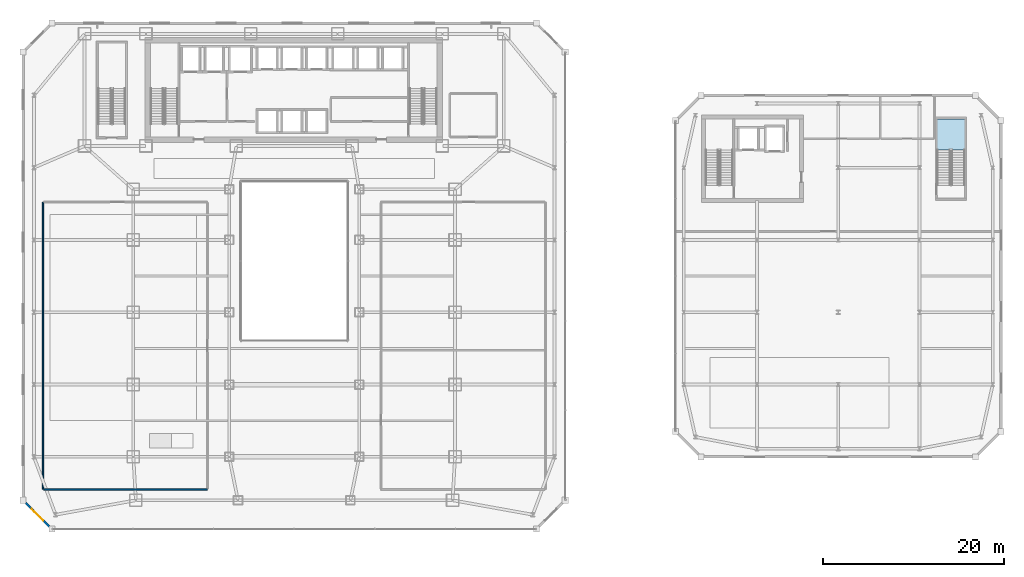
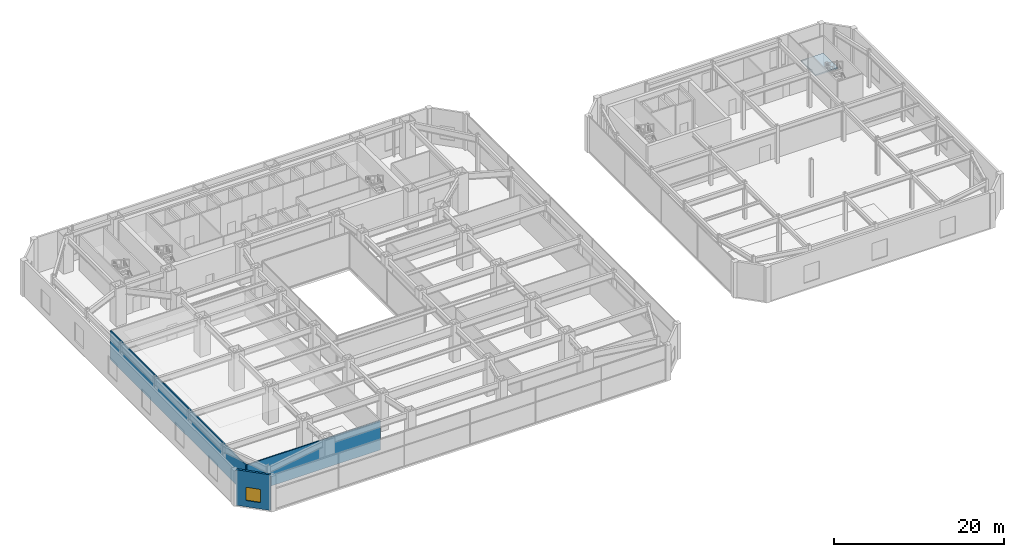
# One storey, part 38 of 51: 3 walls, 1 slab, 1 window, 1 opening, 1 element without a shape of its own.
"""IFC4 building model written with IfcOpenShell, lengths in metres."""

import ifcopenshell
import ifcopenshell.guid

model = None  # the IFC model being written
_history = None  # IfcOwnerHistory: only IFC2X3 demands one
_inside = {}  # id of a spatial element -> (the spatial element, [elements in it])
_under = {}  # id of a project, library or spatial element -> (it, [spatial elements below it])
_declared = {}  # id of a project -> (the project, [libraries it declares])
_typed = {}  # id of a type object -> (the type object, [elements of that type])
_made_of = {}  # id of a material, layer set ... -> (it, [elements and type objects made of it])


def new_model(schema):
    """Start an empty IFC model of exactly this schema.

    Asked for "IFC4X3", IfcOpenShell would pick the latest addendum, in which some entities
    have other attributes; the version numbers below select the first issue.
    IFC2X3 requires an IfcOwnerHistory on every rooted entity: one is made here for all.
    """
    global model, _history
    if schema == "IFC4X3":
        model = ifcopenshell.file(schema_version=(4, 3, 0, 0))
    else:
        model = ifcopenshell.file(schema=schema)
    _inside.clear()
    _under.clear()
    _declared.clear()
    _typed.clear()
    _made_of.clear()
    _history = None
    if model.schema == "IFC2X3":
        org = make("IfcOrganization", Name="unknown")
        user = make(
            "IfcPersonAndOrganization",
            ThePerson=make("IfcPerson", FamilyName="unknown"),
            TheOrganization=org,
        )
        app = make(
            "IfcApplication",
            ApplicationDeveloper=org,
            Version="unknown",
            ApplicationFullName="unknown",
            ApplicationIdentifier="unknown",
        )
        _history = make(
            "IfcOwnerHistory",
            OwningUser=user,
            OwningApplication=app,
            ChangeAction="ADDED",
            CreationDate=0,
        )
    return model


def make(cls, **values):
    """One entity of the class cls with the attributes given. An attribute that is None is left unset."""
    return model.create_entity(
        cls, **{name: value for name, value in values.items() if value is not None}
    )


def rooted(cls, **values):
    """An entity with a GlobalId (a new one), such as an element, a storey or a relation."""
    return make(cls, GlobalId=ifcopenshell.guid.new(), OwnerHistory=_history, **values)


def si_unit(unit_type, name, prefix=None):
    """IfcSIUnit, for example si_unit("LENGTHUNIT", "METRE", prefix="MILLI")."""
    return make("IfcSIUnit", UnitType=unit_type, Prefix=prefix, Name=name)


def assignment(units):
    """IfcUnitAssignment: the units of a project."""
    return None if units is None else make("IfcUnitAssignment", Units=units)


def point(xyz):
    """IfcCartesianPoint."""
    return None if xyz is None else make("IfcCartesianPoint", Coordinates=xyz)


def direction(xyz):
    """IfcDirection."""
    return None if xyz is None else make("IfcDirection", DirectionRatios=xyz)


def frame(location, z_axis=None, x_axis=None):
    """IfcAxis2Placement3D, a coordinate frame: its origin and axes. An axis left out is left unset."""
    return make(
        "IfcAxis2Placement3D",
        Location=point(location),
        Axis=direction(z_axis),
        RefDirection=direction(x_axis),
    )


def frame_2d(location, x_axis=None):
    """IfcAxis2Placement2D, a coordinate frame in the plane: its origin and x axis."""
    return make(
        "IfcAxis2Placement2D", Location=point(location), RefDirection=direction(x_axis)
    )


def origin():
    """The frame at (0, 0, 0) with its axes left unset."""
    return frame((0.0, 0.0, 0.0))


def place(relative_to, where):
    """IfcLocalPlacement: puts the frame where relative to a parent placement (None: the world)."""
    return make(
        "IfcLocalPlacement", PlacementRelTo=relative_to, RelativePlacement=where
    )


def context(
    kind, dimensions, precision=None, world=None, true_north=None, identifier=None
):
    """IfcGeometricRepresentationContext, for example the 3D "Model" context."""
    return make(
        "IfcGeometricRepresentationContext",
        ContextIdentifier=identifier,
        ContextType=kind,
        CoordinateSpaceDimension=dimensions,
        Precision=precision,
        WorldCoordinateSystem=world,
        TrueNorth=true_north,
    )


def subcontext(parent, identifier, kind, view, scale=None):
    """IfcGeometricRepresentationSubContext, for example "Body" below "Model"."""
    return make(
        "IfcGeometricRepresentationSubContext",
        ContextIdentifier=identifier,
        ContextType=kind,
        ParentContext=parent,
        TargetScale=scale,
        TargetView=view,
    )


def project(units=None, contexts=None):
    """IfcProject with its units and contexts."""
    return rooted(
        "IfcProject",
        Name="project",
        RepresentationContexts=contexts,
        UnitsInContext=assignment(units),
    )


def spatial(cls, under=None, at=None, **own):
    """A site, building, storey or space (cls), placed at a placement, below another one or the project."""
    s = rooted(cls, ObjectPlacement=at, **own)
    if under is not None:
        _under.setdefault(under.id(), (under, []))[1].append(s)
    return s


def polyline(points):
    """IfcPolyline through the points."""
    return make("IfcPolyline", Points=[point(p) for p in points])


def profile(cls, at=None, kind="AREA", **sizes):
    """A parametric profile (cls). Its sizes go by their IFC names, for example OverallWidth=200.0."""
    return make(cls, ProfileType=kind, Position=at, **sizes)


def rectangle(**sizes):
    """IfcRectangleProfileDef."""
    return profile("IfcRectangleProfileDef", **sizes)


def outline(outer, holes=None, kind="AREA"):
    """IfcArbitraryClosedProfileDef: a profile drawn as a closed curve; with holes, ...WithVoids."""
    if holes is None:
        return make("IfcArbitraryClosedProfileDef", ProfileType=kind, OuterCurve=outer)
    return make(
        "IfcArbitraryProfileDefWithVoids",
        ProfileType=kind,
        OuterCurve=outer,
        InnerCurves=holes,
    )


def extrude(swept, where, along, depth):
    """IfcExtrudedAreaSolid: the profile swept, set in the frame where, extruded along a direction by depth."""
    return make(
        "IfcExtrudedAreaSolid",
        SweptArea=swept,
        Position=where,
        ExtrudedDirection=direction(along),
        Depth=depth,
    )


def shape(context_of_items, identifier, shape_type, items):
    """IfcShapeRepresentation: the items that make up one representation, for example the "Body"."""
    return make(
        "IfcShapeRepresentation",
        ContextOfItems=context_of_items,
        RepresentationIdentifier=identifier,
        RepresentationType=shape_type,
        Items=items,
    )


def material(Name=None, Category=None):
    """IfcMaterial."""
    return make("IfcMaterial", Name=Name, Category=Category)


def layer(
    of_material, thickness, ventilated=None, Name=None, Category=None, Priority=None
):
    """IfcMaterialLayer: one layer of a wall or slab, of a material (None: an air gap)."""
    return make(
        "IfcMaterialLayer",
        Material=of_material,
        LayerThickness=thickness,
        IsVentilated=ventilated,
        Name=Name,
        Category=Category,
        Priority=Priority,
    )


def layer_set(layers, Name=None):
    """IfcMaterialLayerSet."""
    return make("IfcMaterialLayerSet", MaterialLayers=layers, LayerSetName=Name)


def made_of(thing, what):
    """Note that an element or type object is made of a material, layer set ...; save() writes the relation."""
    if what is not None:
        _made_of.setdefault(what.id(), (what, []))[1].append(thing)
    return thing


def type_object(cls, material=None, **own):
    """A type object (cls), such as IfcWallType, which elements share."""
    return made_of(rooted(cls, **own), material)


def element(
    cls,
    number,
    at=None,
    inside=None,
    cuts=None,
    type_object=None,
    material=None,
    context=None,
    identifier="Body",
    shape_type=None,
    held_by="IfcProductDefinitionShape",
    body=None,
    shapes=None,
    **own,
):
    """One element of the class cls, such as IfcWall. Its Tag is "e" and its number.

    at: its placement. inside: the storey or other place that contains it. cuts: it is an
    opening in that element (IfcRelVoidsElement). A single representation is given by context,
    identifier, shape_type and body (its items); several are given by shapes. held_by: the class
    of the entity that holds the representations. save() writes the other relations.
    """
    e = rooted(cls, Tag="e%d" % number, ObjectPlacement=at, **own)
    if body is not None:
        shapes = [shape(context, identifier, shape_type, body)]
    if shapes is not None:
        e.Representation = make(held_by, Representations=shapes)
    if inside is not None:
        _inside.setdefault(inside.id(), (inside, []))[1].append(e)
    if cuts is not None:
        rooted(
            "IfcRelVoidsElement", RelatingBuildingElement=cuts, RelatedOpeningElement=e
        )
    if type_object is not None:
        _typed.setdefault(type_object.id(), (type_object, []))[1].append(e)
    return made_of(e, material)


def fill(opening, filler):
    """IfcRelFillsElement: the door or window that sits in an opening."""
    return rooted(
        "IfcRelFillsElement",
        RelatingOpeningElement=opening,
        RelatedBuildingElement=filler,
    )


def aggregate(whole, parts):
    """IfcRelAggregates: a whole, such as a stair, and the parts it consists of."""
    return rooted("IfcRelAggregates", RelatingObject=whole, RelatedObjects=parts)


def save(model, path):
    """Write the relations noted so far, then the file.

    IfcRelAggregates (storeys below a building ...), IfcRelContainedInSpatialStructure (elements
    in a storey), IfcRelDefinesByType, IfcRelAssociatesMaterial and IfcRelDeclares: one each for
    every whole, place, type object, material and project.
    """
    for whole, parts in _under.values():
        aggregate(whole, parts)
    for where, things in _inside.values():
        rooted(
            "IfcRelContainedInSpatialStructure",
            RelatedElements=things,
            RelatingStructure=where,
        )
    for kind, things in _typed.values():
        rooted("IfcRelDefinesByType", RelatedObjects=things, RelatingType=kind)
    for what, things in _made_of.values():
        rooted("IfcRelAssociatesMaterial", RelatedObjects=things, RelatingMaterial=what)
    for by, libraries in _declared.values():
        rooted("IfcRelDeclares", RelatingContext=by, RelatedDefinitions=libraries)
    model.write(path)


model = new_model("IFC4")

# Units and contexts
model_context = context("Model", 3, precision=1e-05, world=origin(), true_north=direction((0.0, 1.0)))
body_context = subcontext(model_context, "Body", "Model", "MODEL_VIEW")
ifc_project = project(units=[si_unit("LENGTHUNIT", "METRE"), si_unit("AREAUNIT", "SQUARE_METRE"), si_unit("VOLUMEUNIT", "CUBIC_METRE"), si_unit("PLANEANGLEUNIT", "RADIAN"), si_unit("MASSUNIT", "GRAM", prefix="KILO")], contexts=[model_context])

# Site, building, storey
site_placement = place(None, origin())
site = spatial("IfcSite", under=ifc_project, at=site_placement, CompositionType="ELEMENT")
building_placement = place(site_placement, origin())
building = spatial("IfcBuilding", under=site, at=building_placement, Name="Saevonmaru Cultural Tower", CompositionType="ELEMENT")
storey_placement = place(building_placement, frame((0.0, 0.0, 6.0)))
storey = spatial("IfcBuildingStorey", under=building, at=storey_placement, Name="L01", CompositionType="ELEMENT", Elevation=6.0)

# Stair, slab
ifc_material_1 = material(Name="Concrete C40/50", Category="concrete")
stair_type = type_object("IfcStairType", Name="STR-DOGLEG-RC", PredefinedType="HALF_TURN_STAIR", material=ifc_material_1)
stair_placement = place(storey_placement, origin())
stair = element("IfcStair", 1, at=stair_placement, inside=storey, type_object=stair_type, Name="L01 Protected exit stair LST-2", PredefinedType="HALF_TURN_STAIR")
ifc_layer_1 = layer(ifc_material_1, 0.199951171875, Name="Concrete C40/50")
ifc_layer_set_1 = layer_set([ifc_layer_1], Name="Concrete C40/50")
slab_type = type_object("IfcSlabType", Name="SL-STAIR-LANDING", PredefinedType="LANDING", material=ifc_layer_set_1)
slab_placement = place(storey_placement, frame((0.0, 0.0, 2.5)))
slab = element("IfcSlab", 2, at=slab_placement, type_object=slab_type, Name="LST-2-L01 landing 1", PredefinedType="LANDING", context=body_context, shape_type="SweptSolid", body=[
    extrude(outline(polyline([(104.199951171875, 41.969970703125), (104.199951171875, 45.39990234375), (101.14990234375, 45.39990234375), (101.14990234375, 41.969970703125), (104.199951171875, 41.969970703125)])), origin(), (0.0, 0.0, 1.0), 0.199951171875),
])
aggregate(stair, [slab])

# Wall, opening, window
ifc_material_2 = material(Name="Granite-Clad Precast Concrete C40/50", Category="masonry")
ifc_layer_2 = layer(ifc_material_2, 0.260009765625, Name="Granite-Clad Precast Concrete C40/50")
ifc_layer_set_2 = layer_set([ifc_layer_2], Name="Granite-Clad Precast Concrete C40/50")
wall_type_1 = type_object("IfcWallType", Name="WL-EXT-SPANDREL-260", PredefinedType="STANDARD", material=ifc_layer_set_2)
wall_1_placement = place(storey_placement, frame((0.113037109375, 3.0869140625, 0.0), z_axis=(0.0, 0.0, 1.0), x_axis=(0.707106781187, -0.707106781187, 0.0)))
wall_1 = element("IfcWall", 3, at=wall_1_placement, inside=storey, type_object=wall_type_1, Name="L01 Podium Bronze-Granite Exterior Wall E1", PredefinedType="STANDARD", context=body_context, shape_type="SweptSolid", body=[
    extrude(rectangle(XDim=4.205810546875, YDim=0.260009765625, at=frame_2d((2.10302734375, 0.0))), origin(), (0.0, 0.0, 1.0), 5.10009765625),
])
opening_placement = place(wall_1_placement, frame((1.202880859375, 0.0, 0.89990234375)))
opening = element("IfcOpeningElement", 4, at=opening_placement, cuts=wall_1, Name="Opening W-2", PredefinedType="OPENING", context=body_context, shape_type="SweptSolid", body=[
    extrude(rectangle(XDim=1.800048828125, YDim=1.89990234375, at=frame_2d((0.89990234375, 0.949951171875))), frame((0.0, 0.14013671875, 0.0), z_axis=(0.0, -1.0, 0.0), x_axis=(1.0, 0.0, 0.0)), (0.0, 0.0, 1.0), 0.280029296875),
])
ifc_material_3 = material(Name="Satin Bronze Anodised Aluminium", Category="aluminium")
window_type = type_object("IfcWindowType", Name="WN-DECO-1800x1900", PartitioningType="SINGLE_PANEL", PredefinedType="WINDOW", material=ifc_material_3)
window_placement = place(opening_placement, origin())
window = element("IfcWindow", 5, at=window_placement, inside=storey, type_object=window_type, Name="L01 Chamfer Bay Window E1", OverallHeight=1.89990234375, OverallWidth=1.800048828125, PartitioningType="SINGLE_PANEL", PredefinedType="WINDOW", context=body_context, shape_type="SweptSolid", body=[
    extrude(rectangle(XDim=1.800048828125, YDim=1.89990234375, at=frame_2d((0.89990234375, 0.949951171875))), frame((0.0, 0.030029296875, 0.0), z_axis=(0.0, -1.0, 0.0), x_axis=(1.0, 0.0, 0.0)), (0.0, 0.0, 1.0), 0.06005859375),
])
fill(opening, window)

# Walls
ifc_material_4 = material(Name="Gypsum Fireboard Partition", Category="gypsum")
ifc_layer_3 = layer(ifc_material_4, 0.14990234375, Name="Gypsum Fireboard Partition")
ifc_layer_set_3 = layer_set([ifc_layer_3], Name="Gypsum Fireboard Partition")
wall_type_2 = type_object("IfcWallType", Name="WL-PART-FIRE-150", PredefinedType="PARTITIONING", material=ifc_layer_set_3)
wall_2_placement = place(storey_placement, frame((2.199951171875, 4.39990234375, 0.0), z_axis=(0.0, 0.0, 1.0), x_axis=(0.0, 1.0, 0.0)))
element("IfcWall", 6, at=wall_2_placement, inside=storey, type_object=wall_type_2, Name="L01 Chamber Recital Auditorium West Wall", PredefinedType="PARTITIONING", context=body_context, shape_type="SweptSolid", body=[
    extrude(rectangle(XDim=31.800048828125, YDim=0.14990234375, at=frame_2d((15.89990234375, 0.0))), origin(), (0.0, 0.0, 1.0), 4.18505859375),
])
wall_3_placement = place(storey_placement, frame((2.294921875, 4.39990234375, 0.0), z_axis=(0.0, 0.0, 1.0), x_axis=(1.0, 0.0, 0.0)))
element("IfcWall", 7, at=wall_3_placement, inside=storey, type_object=wall_type_2, Name="L01 Chamber Recital Auditorium South Wall", PredefinedType="PARTITIONING", context=body_context, shape_type="SweptSolid", body=[
    extrude(rectangle(XDim=18.10498046875, YDim=0.14990234375, at=frame_2d((9.052490234375, 0.0))), origin(), (0.0, 0.0, 1.0), 4.18505859375),
])

save(model, "model.ifc")
